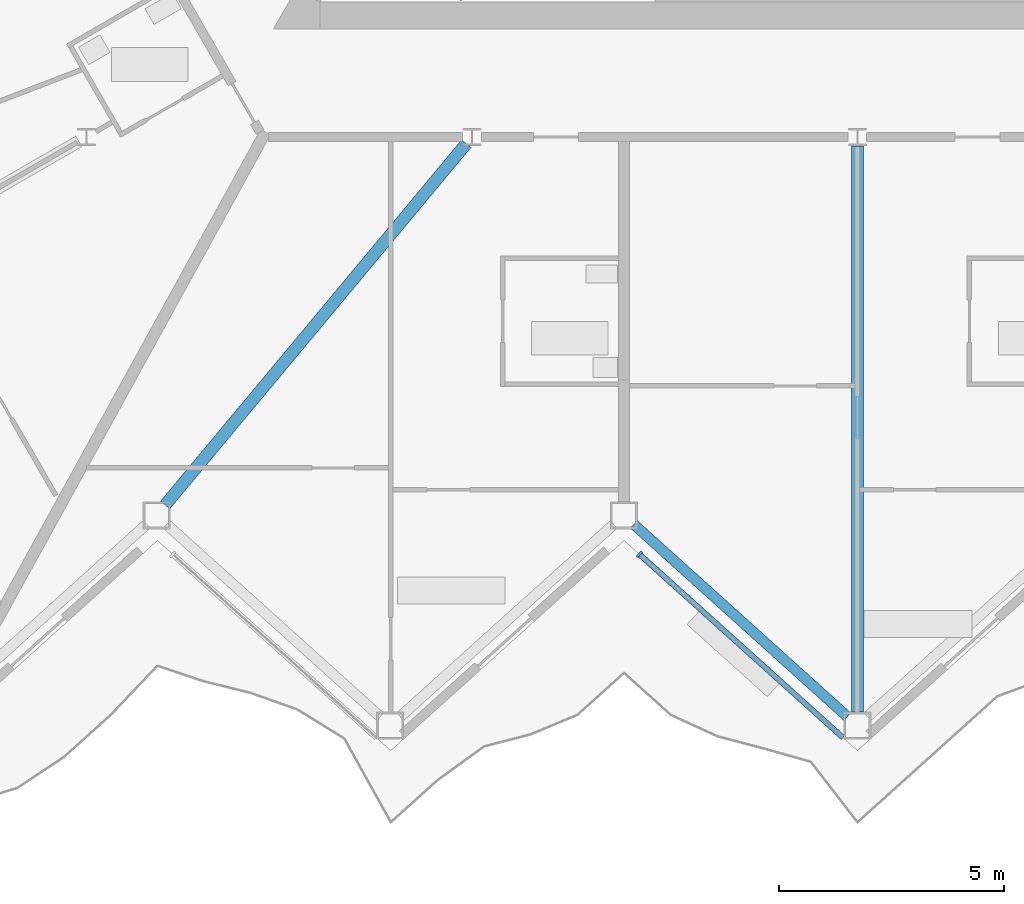
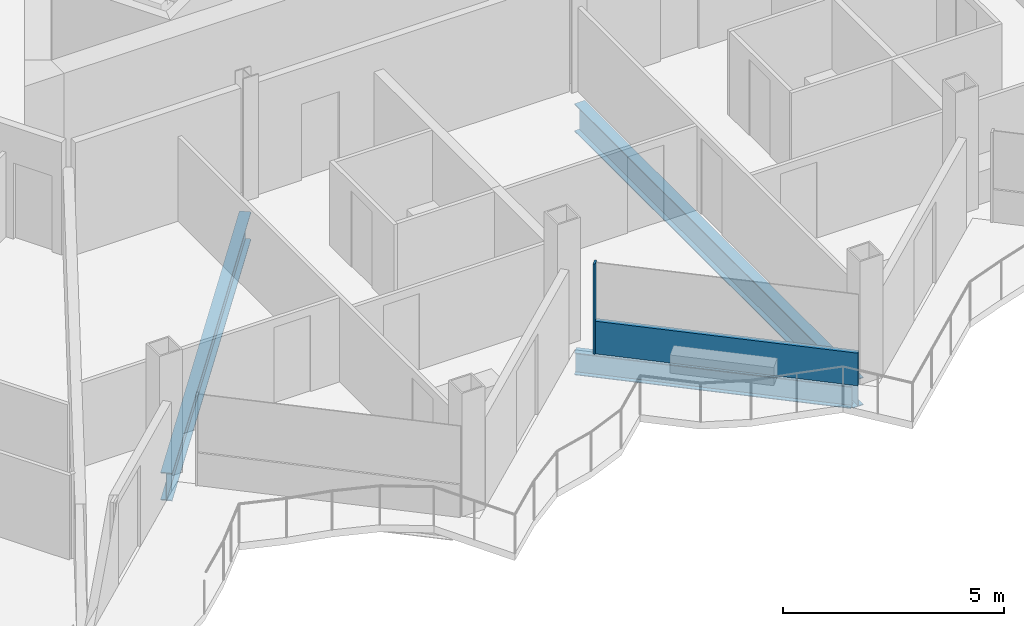
# One storey, part 5 of 27: 3 beams, 2 members, 1 element without a shape of its own.
"""IFC4 building model written with IfcOpenShell, lengths in metres."""

from ifc_helpers import new_model, si_unit, direction, frame, origin, origin_2d, place, context, subcontext, project, spatial, rectangle, i_section, extrude, material, layer, layer_set, material_profile, profile_set, type_object, element, aggregate, save


model = new_model("IFC4")

# Units and contexts
model_context = context("Model", 3, precision=1e-05, world=origin(), true_north=direction((0.0, 1.0)))
body_context = subcontext(model_context, "Body", "Model", "MODEL_VIEW")
ifc_project = project(units=[si_unit("LENGTHUNIT", "METRE"), si_unit("AREAUNIT", "SQUARE_METRE"), si_unit("VOLUMEUNIT", "CUBIC_METRE"), si_unit("PLANEANGLEUNIT", "RADIAN"), si_unit("MASSUNIT", "GRAM", prefix="KILO")], contexts=[model_context])

# Site, building, storey
site_placement = place(None, origin())
site = spatial("IfcSite", under=ifc_project, at=site_placement, CompositionType="ELEMENT")
building_placement = place(site_placement, origin())
building = spatial("IfcBuilding", under=site, at=building_placement, Name="Cormorant Prow Tower", CompositionType="ELEMENT")
storey_placement = place(building_placement, frame((0.0, 0.0, 315.39990234375)))
storey = spatial("IfcBuildingStorey", under=building, at=storey_placement, Name="L69", CompositionType="ELEMENT", Elevation=315.39990234375)

# Beams
ifc_material_1 = material(Name="Structural steel ASTM A992 Gr 50", Category="steel")
ifc_material_profile_1 = material_profile(ifc_material_1, i_section(OverallWidth=0.267822265625, OverallDepth=0.77001953125, WebThickness=0.015625, FlangeThickness=0.025390625, at=origin_2d()), Name="W30x132")
ifc_profile_set_1 = profile_set([ifc_material_profile_1], Name="Structural steel ASTM A992 Gr 50")
beam_type_1 = type_object("IfcBeamType", Name="Radial floor beam W30x132", PredefinedType="BEAM", material=ifc_profile_set_1)
beam_1_placement = place(storey_placement, frame((-8.705078125, -10.057373046875, -0.684814453125), z_axis=(-0.640239469619, -0.768175384624, 0.0), x_axis=(0.768175384624, -0.640239469619, 0.0)))
element("IfcBeam", 1, at=beam_1_placement, inside=storey, type_object=beam_type_1, Name="Radial floor beam FB3 6 L69", PredefinedType="BEAM", context=body_context, shape_type="SweptSolid", body=[
    extrude(i_section(OverallWidth=0.267822265625, OverallDepth=0.77001953125, WebThickness=0.015625, FlangeThickness=0.025390625, at=origin_2d()), origin(), (0.0, 0.0, 1.0), 10.465087890625),
])
beam_2_placement = place(storey_placement, frame((0.0, -10.103271484375, -0.684814453125), z_axis=(0.0, -1.0, 0.0), x_axis=(1.0, 0.0, 0.0)))
element("IfcBeam", 2, at=beam_2_placement, inside=storey, type_object=beam_type_1, Name="Radial floor beam FB3 7 L69", PredefinedType="BEAM", context=body_context, shape_type="SweptSolid", body=[
    extrude(i_section(OverallWidth=0.267822265625, OverallDepth=0.77001953125, WebThickness=0.015625, FlangeThickness=0.025390625, at=origin_2d()), origin(), (0.0, 0.0, 1.0), 12.604736328125),
])

# Curtain wall, members
ifc_material_2 = material(Name="Aluminium 6063-T6", Category="aluminium")
ifc_layer = layer(ifc_material_2, 0.159912109375)
ifc_layer_set = layer_set([ifc_layer], Name="Aluminium 6063-T6")
curtain_wall_type = type_object("IfcCurtainWallType", Name="Residential unitised curtain wall 160", PredefinedType="NOTDEFINED", material=ifc_layer_set)
curtain_wall_placement = place(storey_placement, origin())
curtain_wall = element("IfcCurtainWall", 3, at=curtain_wall_placement, inside=storey, type_object=curtain_wall_type, Name="Residential curtain wall S04", PredefinedType="NOTDEFINED")
ifc_material_3 = material(Name="Aluminium 6063-T6", Category="aluminium")
ifc_material_profile_2 = material_profile(ifc_material_3, rectangle(XDim=0.159912109375, YDim=0.050048828125, at=origin_2d()), Name="Residential mullion 50x160")
ifc_profile_set_2 = profile_set([ifc_material_profile_2], Name="Aluminium 6063-T6")
member_type_1 = type_object("IfcMemberType", Name="Residential mullion 50x160", PredefinedType="MULLION", material=ifc_profile_set_2)
member_1_placement = place(storey_placement, frame((-4.851806640625, -19.193603515625, 0.0), z_axis=(0.0, 0.0, 1.0), x_axis=(0.669130619757, 0.743144813413, 0.0)))
member_1 = element("IfcMember", 4, at=member_1_placement, type_object=member_type_1, Name="Residential mullion S04", PredefinedType="MULLION", context=body_context, shape_type="SweptSolid", body=[
    extrude(rectangle(XDim=0.159912109375, YDim=0.050048828125, at=origin_2d()), origin(), (0.0, 0.0, 1.0), 2.488037109375),
])
ifc_material_4 = material(Name="Terracotta", Category="masonry")
ifc_material_profile_3 = material_profile(ifc_material_4, rectangle(XDim=0.1201171875, YDim=0.89990234375, at=origin_2d()), Name="Residential terracotta spandrel rail 120x900")
ifc_profile_set_3 = profile_set([ifc_material_profile_3], Name="Terracotta")
member_type_2 = type_object("IfcMemberType", Name="Residential terracotta spandrel rail 120x900", PredefinedType="USERDEFINED", material=ifc_profile_set_3)
member_2_placement = place(storey_placement, frame((-4.833251953125, -19.21044921875, 0.4501953125), z_axis=(0.743162128872, -0.669111388492, 0.0), x_axis=(0.669111388492, 0.743162128872, 0.0)))
member_2 = element("IfcMember", 5, at=member_2_placement, type_object=member_type_2, Name="Residential spandrel rail S04", ObjectType="TRANSOM", PredefinedType="USERDEFINED", context=body_context, shape_type="SweptSolid", body=[
    extrude(rectangle(XDim=0.1201171875, YDim=0.89990234375, at=origin_2d()), origin(), (0.0, 0.0, 1.0), 6.069580078125),
])
aggregate(curtain_wall, [member_1, member_2])

# Beam
ifc_material_5 = material(Name="Structural steel ASTM A992 Gr 50", Category="steel")
ifc_material_profile_4 = material_profile(ifc_material_5, i_section(OverallWidth=0.22900390625, OverallDepth=0.612060546875, WebThickness=0.011962890625, FlangeThickness=0.01953125, at=origin_2d()), Name="W24x84")
ifc_profile_set_4 = profile_set([ifc_material_profile_4], Name="Structural steel ASTM A992 Gr 50")
beam_type_2 = type_object("IfcBeamType", Name="Spandrel beam W24x84", PredefinedType="SPANDREL", material=ifc_profile_set_4)
beam_3_placement = place(storey_placement, frame((-4.97607421875, -18.527587890625, -0.60595703125), z_axis=(0.743144186555, -0.669131315954, 0.0), x_axis=(0.669131315954, 0.743144186555, 0.0)))
element("IfcBeam", 6, at=beam_3_placement, inside=storey, type_object=beam_type_2, Name="Spandrel beam SB3 S04-S05 L69", PredefinedType="SPANDREL", context=body_context, shape_type="SweptSolid", body=[
    extrude(i_section(OverallWidth=0.22900390625, OverallDepth=0.612060546875, WebThickness=0.011962890625, FlangeThickness=0.01953125, at=origin_2d()), origin(), (0.0, 0.0, 1.0), 6.39599609375),
])

save(model, "model.ifc")
